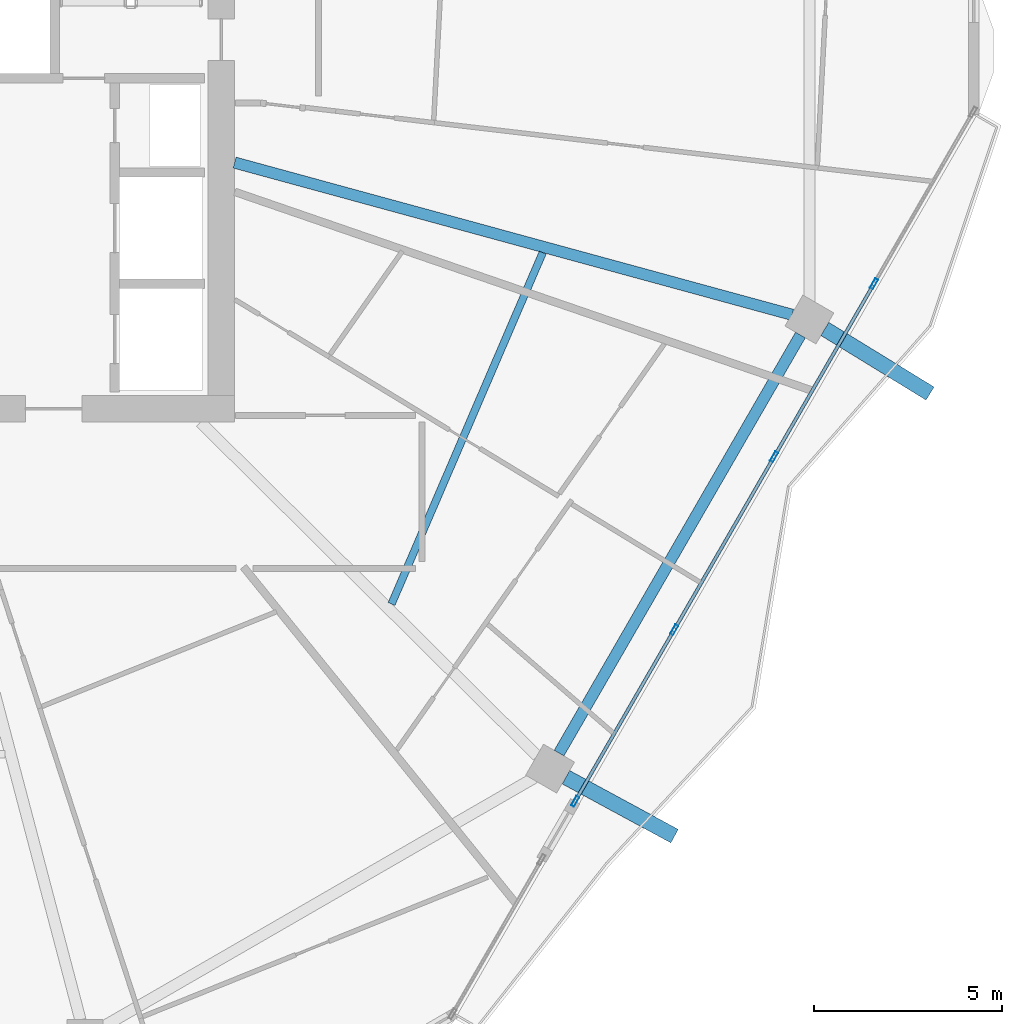
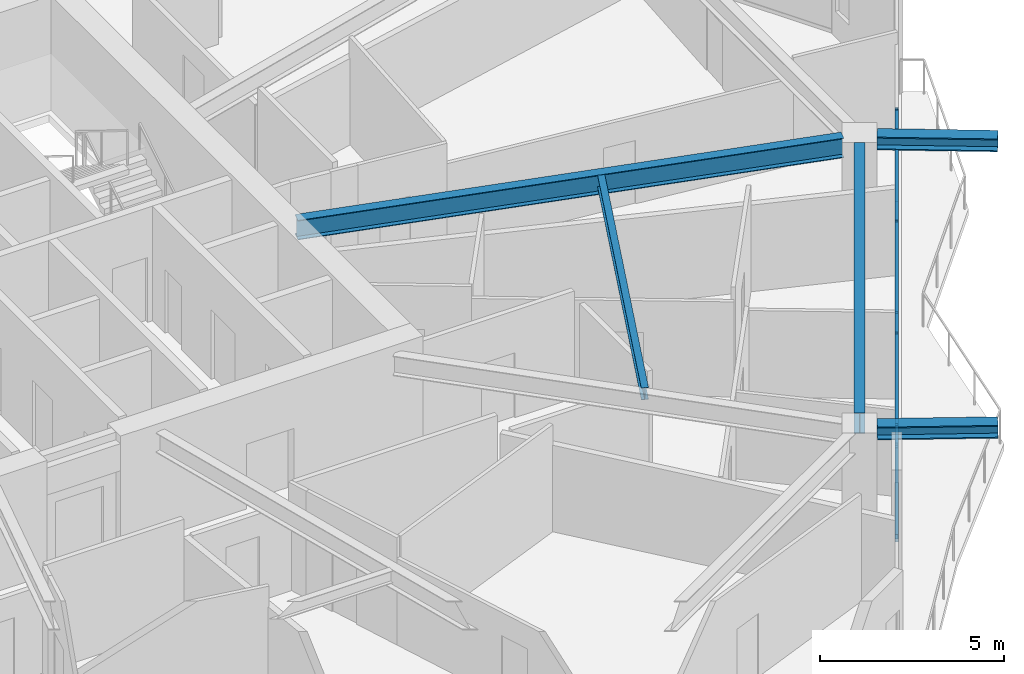
# One storey, part 8 of 26: 10 members, 5 beams, 1 element without a shape of its own.
"""IFC4 building model written with IfcOpenShell, lengths in metres."""

from ifc_helpers import new_model, si_unit, direction, frame, origin, origin_2d, place, context, subcontext, project, spatial, hollow_rectangle, i_section, extrude, material, material_profile, profile_set, type_object, element, aggregate, save


model = new_model("IFC4")

# Units and contexts
model_context = context("Model", 3, precision=1e-05, world=origin(), true_north=direction((0.0, 1.0)))
body_context = subcontext(model_context, "Body", "Model", "MODEL_VIEW")
ifc_project = project(units=[si_unit("LENGTHUNIT", "METRE"), si_unit("AREAUNIT", "SQUARE_METRE"), si_unit("VOLUMEUNIT", "CUBIC_METRE"), si_unit("PLANEANGLEUNIT", "RADIAN"), si_unit("MASSUNIT", "GRAM", prefix="KILO")], contexts=[model_context])

# Site, building, storey
site_placement = place(None, origin())
site = spatial("IfcSite", under=ifc_project, at=site_placement, CompositionType="ELEMENT")
building_placement = place(site_placement, origin())
building = spatial("IfcBuilding", under=site, at=building_placement, Name="Zuhravey Tower", CompositionType="ELEMENT")
storey_placement = place(building_placement, frame((0.0, 0.0, 211.199951171875)))
storey = spatial("IfcBuildingStorey", under=building, at=storey_placement, Name="L53", CompositionType="ELEMENT", Elevation=211.199951171875)

# Curtain wall, members
ifc_material_1 = material(Name="Thermally broken anodised aluminium", Category="aluminium")
curtain_wall_type = type_object("IfcCurtainWallType", Name="Zone 1-2 Residential Curtain Wall CW3", PredefinedType="NOTDEFINED", material=ifc_material_1)
curtain_wall_placement = place(storey_placement, origin())
curtain_wall = element("IfcCurtainWall", 1, at=curtain_wall_placement, inside=storey, type_object=curtain_wall_type, Name="L53 CW3 CW-L53-F6-1", PredefinedType="NOTDEFINED")
ifc_material_2 = material(Name="Anodised aluminium", Category="aluminium")
ifc_material_profile_1 = material_profile(ifc_material_2, hollow_rectangle(XDim=0.090087890625, YDim=0.284912109375, WallThickness=0.0048828125, at=origin_2d()), Name="ALU-RHS-90x285x5")
ifc_profile_set_1 = profile_set([ifc_material_profile_1], Name="Anodised aluminium")
member_type_1 = type_object("IfcMemberType", Name="Curtain-Wall Mullion 90x180", PredefinedType="MULLION", material=ifc_profile_set_1)
member_1_placement = place(storey_placement, frame((63.821044921875, 25.8212890625, 0.0), z_axis=(0.0, 0.0, 1.0), x_axis=(0.866024678652, -0.500001255965, 0.0)))
member_1 = element("IfcMember", 2, at=member_1_placement, type_object=member_type_1, Name="CW3 mullion 2", PredefinedType="MULLION", context=body_context, shape_type="SweptSolid", body=[
    extrude(hollow_rectangle(XDim=0.090087890625, YDim=0.284912109375, WallThickness=0.0048828125, at=origin_2d()), origin(), (0.0, 0.0, 1.0), 3.1220703125),
])
member_2_placement = place(storey_placement, frame((61.17041015625, 21.230224609375, 0.0), z_axis=(0.0, 0.0, 1.0), x_axis=(0.866024678652, -0.500001255965, 0.0)))
member_2 = element("IfcMember", 3, at=member_2_placement, type_object=member_type_1, Name="CW3 mullion 3", PredefinedType="MULLION", context=body_context, shape_type="SweptSolid", body=[
    extrude(hollow_rectangle(XDim=0.090087890625, YDim=0.284912109375, WallThickness=0.0048828125, at=origin_2d()), origin(), (0.0, 0.0, 1.0), 3.1220703125),
])
member_3_placement = place(storey_placement, frame((58.51953125, 16.638916015625, 0.0), z_axis=(0.0, 0.0, 1.0), x_axis=(0.866024678652, -0.500001255965, 0.0)))
member_3 = element("IfcMember", 4, at=member_3_placement, type_object=member_type_1, Name="CW3 mullion 4", PredefinedType="MULLION", context=body_context, shape_type="SweptSolid", body=[
    extrude(hollow_rectangle(XDim=0.090087890625, YDim=0.284912109375, WallThickness=0.0048828125, at=origin_2d()), origin(), (0.0, 0.0, 1.0), 3.1220703125),
])
member_4_placement = place(storey_placement, frame((55.891357421875, 12.086669921875, 0.0), z_axis=(0.0, 0.0, 1.0), x_axis=(0.866024678652, -0.500001255965, 0.0)))
member_4 = element("IfcMember", 5, at=member_4_placement, type_object=member_type_1, Name="CW3 mullion 5", PredefinedType="MULLION", context=body_context, shape_type="SweptSolid", body=[
    extrude(hollow_rectangle(XDim=0.090087890625, YDim=0.284912109375, WallThickness=0.0048828125, at=origin_2d()), origin(), (0.0, 0.0, 1.0), 3.1220703125),
])
ifc_material_profile_2 = material_profile(ifc_material_2, hollow_rectangle(XDim=0.090087890625, YDim=0.14990234375, WallThickness=0.0048828125, at=origin_2d()), Name="ALU-RHS-90x150x5")
ifc_profile_set_2 = profile_set([ifc_material_profile_2], Name="Anodised aluminium")
member_type_2 = type_object("IfcMemberType", Name="Curtain-Wall Transom 90x150", PredefinedType="USERDEFINED", material=ifc_profile_set_2)
member_5_placement = place(storey_placement, frame((63.798583984375, 25.782470703125, 0.045166015625), z_axis=(-0.499983331303, -0.866035027247, 0.0), x_axis=(0.866035027247, -0.499983331303, 0.0)))
member_5 = element("IfcMember", 6, at=member_5_placement, type_object=member_type_2, Name="CW3 transom 2.1", ObjectType="TRANSOM", PredefinedType="USERDEFINED", context=body_context, shape_type="SweptSolid", body=[
    extrude(hollow_rectangle(XDim=0.090087890625, YDim=0.14990234375, WallThickness=0.0048828125, at=origin_2d()), origin(), (0.0, 0.0, 1.0), 5.211669921875),
])
member_6_placement = place(storey_placement, frame((63.798583984375, 25.782470703125, 3.0771484375), z_axis=(-0.499983331303, -0.866035027247, 0.0), x_axis=(0.866035027247, -0.499983331303, 0.0)))
member_6 = element("IfcMember", 7, at=member_6_placement, type_object=member_type_2, Name="CW3 transom 2.2", ObjectType="TRANSOM", PredefinedType="USERDEFINED", context=body_context, shape_type="SweptSolid", body=[
    extrude(hollow_rectangle(XDim=0.090087890625, YDim=0.14990234375, WallThickness=0.0048828125, at=origin_2d()), origin(), (0.0, 0.0, 1.0), 5.211669921875),
])
member_7_placement = place(storey_placement, frame((61.14794921875, 21.191162109375, 0.045166015625), z_axis=(-0.500003616288, -0.866023315909, 0.0), x_axis=(0.866023315909, -0.500003616288, 0.0)))
member_7 = element("IfcMember", 8, at=member_7_placement, type_object=member_type_2, Name="CW3 transom 3.1", ObjectType="TRANSOM", PredefinedType="USERDEFINED", context=body_context, shape_type="SweptSolid", body=[
    extrude(hollow_rectangle(XDim=0.090087890625, YDim=0.14990234375, WallThickness=0.0048828125, at=origin_2d()), origin(), (0.0, 0.0, 1.0), 5.21142578125),
])
member_8_placement = place(storey_placement, frame((61.14794921875, 21.191162109375, 3.0771484375), z_axis=(-0.500003616288, -0.866023315909, 0.0), x_axis=(0.866023315909, -0.500003616288, 0.0)))
member_8 = element("IfcMember", 9, at=member_8_placement, type_object=member_type_2, Name="CW3 transom 3.2", ObjectType="TRANSOM", PredefinedType="USERDEFINED", context=body_context, shape_type="SweptSolid", body=[
    extrude(hollow_rectangle(XDim=0.090087890625, YDim=0.14990234375, WallThickness=0.0048828125, at=origin_2d()), origin(), (0.0, 0.0, 1.0), 5.21142578125),
])
member_9_placement = place(storey_placement, frame((58.4970703125, 16.60009765625, 0.045166015625), z_axis=(-0.499996513224, -0.866027416866, 0.0), x_axis=(0.866027416866, -0.499996513224, 0.0)))
member_9 = element("IfcMember", 10, at=member_9_placement, type_object=member_type_2, Name="CW3 transom 4.1", ObjectType="TRANSOM", PredefinedType="USERDEFINED", context=body_context, shape_type="SweptSolid", body=[
    extrude(hollow_rectangle(XDim=0.090087890625, YDim=0.14990234375, WallThickness=0.0048828125, at=origin_2d()), origin(), (0.0, 0.0, 1.0), 5.16650390625),
])
member_10_placement = place(storey_placement, frame((58.4970703125, 16.60009765625, 3.0771484375), z_axis=(-0.499996513224, -0.866027416866, 0.0), x_axis=(0.866027416866, -0.499996513224, 0.0)))
member_10 = element("IfcMember", 11, at=member_10_placement, type_object=member_type_2, Name="CW3 transom 4.2", ObjectType="TRANSOM", PredefinedType="USERDEFINED", context=body_context, shape_type="SweptSolid", body=[
    extrude(hollow_rectangle(XDim=0.090087890625, YDim=0.14990234375, WallThickness=0.0048828125, at=origin_2d()), origin(), (0.0, 0.0, 1.0), 5.16650390625),
])
aggregate(curtain_wall, [member_1, member_2, member_3, member_4, member_5, member_6, member_7, member_8, member_9, member_10])

# Beams
ifc_material_3 = material(Name="Steel SM460", Category="steel")
ifc_material_profile_3 = material_profile(ifc_material_3, i_section(OverallWidth=0.406982421875, OverallDepth=0.427978515625, WebThickness=0.02001953125, FlangeThickness=0.034912109375, at=origin_2d()), Name="H-428x407x20x35")
ifc_profile_set_3 = profile_set([ifc_material_profile_3], Name="Steel SM460")
beam_type_1 = type_object("IfcBeamType", Name="Exoskeleton Node Tie Beam H428x407", PredefinedType="BEAM", material=ifc_profile_set_3)
for number, where, z_axis, x_axis, name in (
    (12, (55.646728515625, 12.72509765625, 3.3359375), (0.87911121627, -0.476616690254, 0.0), (0.476616690254, 0.87911121627, 0.0), "L53 Exoskeleton Node Tie NT1-11"),
    (13, (62.51611328125, 24.622802734375, 3.3359375), (0.852309897732, -0.52303712892, 0.0), (0.52303712892, 0.852309897732, 0.0), "L53 Exoskeleton Node Tie NT1-12"),
):
    element("IfcBeam", number, at=place(storey_placement, frame(where, z_axis=z_axis, x_axis=x_axis)), inside=storey, type_object=beam_type_1, Name=name, PredefinedType="BEAM", context=body_context, shape_type="SweptSolid", body=[
        extrude(i_section(OverallWidth=0.406982421875, OverallDepth=0.427978515625, WebThickness=0.02001953125, FlangeThickness=0.034912109375, at=origin_2d()), origin(), (0.0, 0.0, 1.0), 3.27734375),
    ])
ifc_material_4 = material(Name="Steel SM355", Category="steel")
ifc_material_profile_4 = material_profile(ifc_material_4, i_section(OverallWidth=0.300048828125, OverallDepth=0.679931640625, WebThickness=0.012939453125, FlangeThickness=0.02197265625, at=origin_2d()), Name="H-680x300x13x22")
ifc_profile_set_4 = profile_set([ifc_material_profile_4], Name="Steel SM355")
beam_type_2 = type_object("IfcBeamType", Name="Perimeter Ring Beam H680x300", PredefinedType="BEAM", material=ifc_profile_set_4)
beam_1_placement = place(storey_placement, frame((55.464599609375, 13.367431640625, 3.2099609375), z_axis=(0.500003505699, 0.866023379758, 0.0), x_axis=(-0.866023379758, 0.500003505699, 0.0)))
element("IfcBeam", 14, at=beam_1_placement, inside=storey, type_object=beam_type_2, Name="L53 PB2 BM-L53-PB-11", PredefinedType="BEAM", context=body_context, shape_type="SweptSolid", body=[
    extrude(i_section(OverallWidth=0.300048828125, OverallDepth=0.679931640625, WebThickness=0.012939453125, FlangeThickness=0.02197265625, at=origin_2d()), origin(), (0.0, 0.0, 1.0), 12.80810546875),
])
ifc_material_profile_5 = material_profile(ifc_material_4, i_section(OverallWidth=0.300048828125, OverallDepth=0.64990234375, WebThickness=0.012939453125, FlangeThickness=0.02197265625, at=origin_2d()), Name="H-650x300x13x22")
ifc_profile_set_5 = profile_set([ifc_material_profile_5], Name="Steel SM355")
beam_type_3 = type_object("IfcBeamType", Name="Radial Primary Girder H650x300", PredefinedType="BEAM", material=ifc_profile_set_5)
beam_2_placement = place(storey_placement, frame((46.85302734375, 29.03759765625, 3.22509765625), z_axis=(0.964701703464, -0.263345065139, 0.0), x_axis=(0.263345065139, 0.964701703464, 0.0)))
element("IfcBeam", 15, at=beam_2_placement, inside=storey, type_object=beam_type_3, Name="L53 RG2 BM-L53-RAD-12", PredefinedType="BEAM", context=body_context, shape_type="SweptSolid", body=[
    extrude(i_section(OverallWidth=0.300048828125, OverallDepth=0.64990234375, WebThickness=0.012939453125, FlangeThickness=0.02197265625, at=origin_2d()), origin(), (0.0, 0.0, 1.0), 15.334716796875),
])
ifc_material_profile_6 = material_profile(ifc_material_4, i_section(OverallWidth=0.199951171875, OverallDepth=0.39990234375, WebThickness=0.008056640625, FlangeThickness=0.012939453125, at=origin_2d()), Name="H-400x200x8x13")
ifc_profile_set_6 = profile_set([ifc_material_profile_6], Name="Steel SM355")
beam_type_4 = type_object("IfcBeamType", Name="Secondary Floor Joist H400x200", PredefinedType="JOIST", material=ifc_profile_set_6)
beam_3_placement = place(storey_placement, frame((51.017578125, 17.323974609375, 3.35009765625), z_axis=(0.395265853487, 0.918566766799, 0.0), x_axis=(-0.918566766799, 0.395265853487, 0.0)))
element("IfcBeam", 16, at=beam_3_placement, inside=storey, type_object=beam_type_4, Name="L53 SJ2 BM-L53-SJ-11-1", PredefinedType="JOIST", context=body_context, shape_type="SweptSolid", body=[
    extrude(i_section(OverallWidth=0.199951171875, OverallDepth=0.39990234375, WebThickness=0.008056640625, FlangeThickness=0.012939453125, at=origin_2d()), origin(), (0.0, 0.0, 1.0), 10.150146484375),
])

save(model, "model.ifc")
